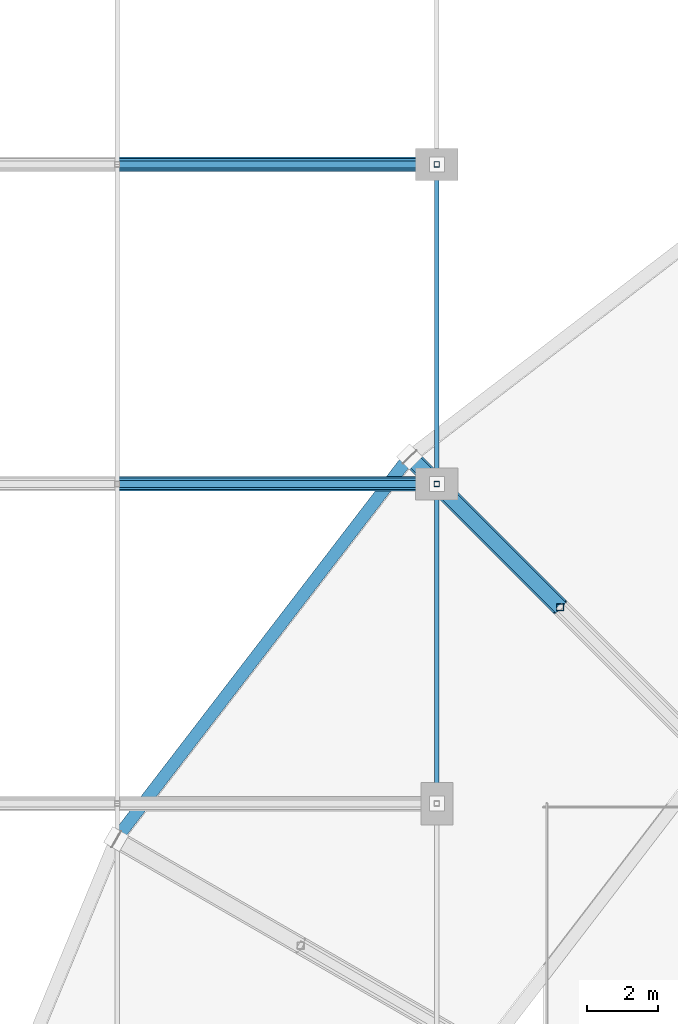
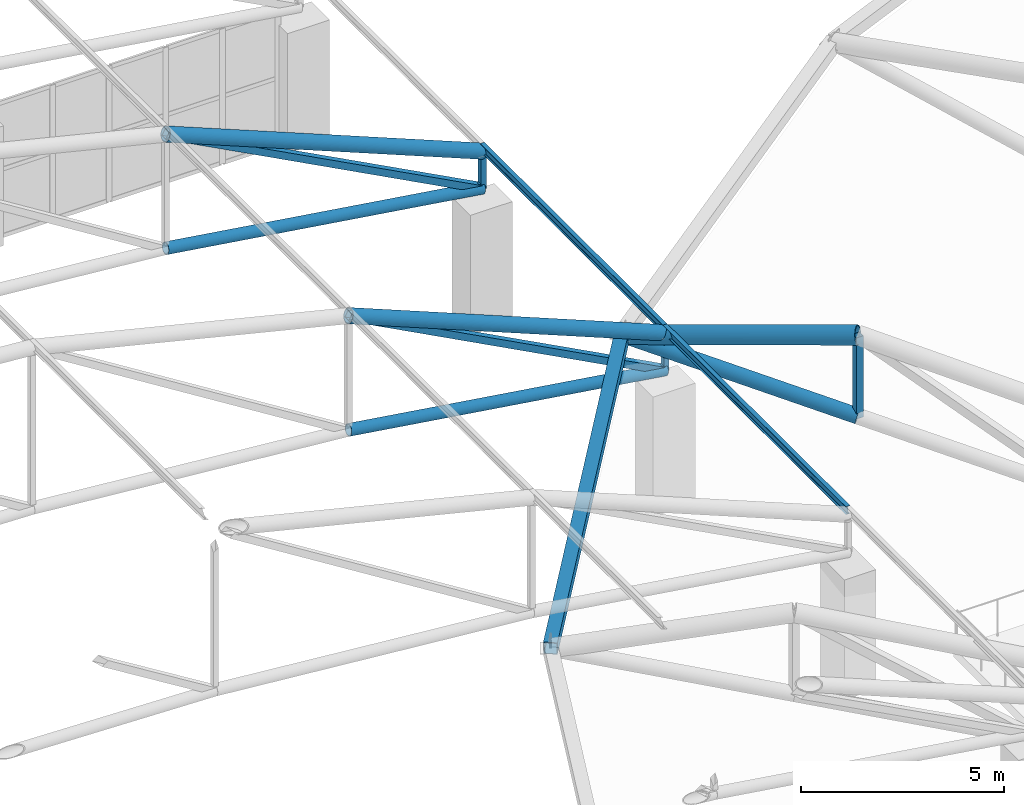
# One storey, part 63 of 167: 14 members.
"""IFC4 building model written with IfcOpenShell, lengths in metres."""

from ifc_helpers import new_model, si_unit, direction, frame, origin, origin_2d, place, context, subcontext, project, spatial, hollow_rectangle, hollow_circle, i_section, extrude, material, material_profile, profile_set, type_object, element, save


model = new_model("IFC4")

# Units and contexts
model_context = context("Model", 3, precision=1e-05, world=origin(), true_north=direction((0.0, 1.0)))
body_context = subcontext(model_context, "Body", "Model", "MODEL_VIEW")
ifc_project = project(units=[si_unit("LENGTHUNIT", "METRE"), si_unit("AREAUNIT", "SQUARE_METRE"), si_unit("VOLUMEUNIT", "CUBIC_METRE"), si_unit("PLANEANGLEUNIT", "RADIAN"), si_unit("MASSUNIT", "GRAM", prefix="KILO")], contexts=[model_context])

# Site, building, storey
site_placement = place(None, origin())
site = spatial("IfcSite", under=ifc_project, at=site_placement, CompositionType="ELEMENT")
building_placement = place(site_placement, origin())
building = spatial("IfcBuilding", under=site, at=building_placement, Name="Dornveld Trade and Exhibition Forum", CompositionType="ELEMENT")
storey_placement = place(building_placement, frame((0.0, 0.0, 16.800048828125)))
storey = spatial("IfcBuildingStorey", under=building, at=storey_placement, Name="L03", CompositionType="ELEMENT", Elevation=16.800048828125)

# Members
ifc_material_1 = material(Name="Steel S355J2", Category="steel")
ifc_material_profile_1 = material_profile(ifc_material_1, hollow_circle(Radius=0.161865234375, WallThickness=0.01611328125, at=origin_2d()), Name="CHS 323.9x16")
ifc_profile_set_1 = profile_set([ifc_material_profile_1], Name="Steel S355J2")
member_type_1 = type_object("IfcMemberType", Name="MEM-ARCH-BC", PredefinedType="CHORD", material=ifc_profile_set_1)
for number, where, z_axis, x_axis, name in (
    (1, (72.0, 117.0, 5.283203125), (0.989204758987, 0.0, -0.146539908551), (0.0, 1.0, 0.0), "H3 truss 10 tie chord 6"),
    (2, (72.0, 126.0, 5.283203125), (0.989204758987, 0.0, -0.146539908551), (0.0, 1.0, 0.0), "H3 truss 11 tie chord 6"),
):
    element("IfcMember", number, at=place(storey_placement, frame(where, z_axis=z_axis, x_axis=x_axis)), inside=storey, type_object=member_type_1, Name=name, PredefinedType="CHORD", context=body_context, shape_type="SweptSolid", body=[
        extrude(hollow_circle(Radius=0.161865234375, WallThickness=0.01611328125, at=origin_2d()), origin(), (0.0, 0.0, 1.0), 9.09814453125),
    ])
ifc_material_2 = material(Name="Steel S355J2", Category="steel")
ifc_material_profile_2 = material_profile(ifc_material_2, hollow_rectangle(XDim=0.14990234375, YDim=0.14990234375, WallThickness=0.008056640625, at=origin_2d()), Name="SHS 150x150x8")
ifc_profile_set_2 = profile_set([ifc_material_profile_2], Name="Steel S355J2")
member_type_2 = type_object("IfcMemberType", Name="MEM-ARCH-STR", PredefinedType="STRUT", material=ifc_profile_set_2)
for number, where, z_axis, x_axis, name in (
    (3, (81.0, 117.0, 3.949951171875), (0.0, 0.0, 1.0), (1.0, 0.0, 0.0), "H3 truss 10 end strut"),
    (4, (81.0, 126.0, 3.949951171875), (0.0, 0.0, 1.0), (1.0, 0.0, 0.0), "H3 truss 11 end strut"),
):
    element("IfcMember", number, at=place(storey_placement, frame(where, z_axis=z_axis, x_axis=x_axis)), inside=storey, type_object=member_type_2, Name=name, PredefinedType="STRUT", context=body_context, shape_type="SweptSolid", body=[
        extrude(hollow_rectangle(XDim=0.14990234375, YDim=0.14990234375, WallThickness=0.008056640625, at=origin_2d()), origin(), (0.0, 0.0, 1.0), 1.10009765625),
    ])
ifc_material_3 = material(Name="Steel S355J2", Category="steel")
ifc_material_profile_3 = material_profile(ifc_material_3, hollow_circle(Radius=0.203125, WallThickness=0.02001953125, at=origin_2d()), Name="CHS 406.4x20")
ifc_profile_set_3 = profile_set([ifc_material_profile_3], Name="Steel S355J2")
member_type_3 = type_object("IfcMemberType", Name="MEM-ARCH-TC", PredefinedType="CHORD", material=ifc_profile_set_3)
for number, where, z_axis, x_axis, name in (
    (5, (72.0, 117.0, 8.716552734375), (0.926098211611, 0.0, -0.377282523383), (0.0, 1.0, 0.0), "H3 truss 10 top chord 6"),
    (6, (72.0, 126.0, 8.716552734375), (0.926098211611, 0.0, -0.377282523383), (0.0, 1.0, 0.0), "H3 truss 11 top chord 6"),
):
    element("IfcMember", number, at=place(storey_placement, frame(where, z_axis=z_axis, x_axis=x_axis)), inside=storey, type_object=member_type_3, Name=name, PredefinedType="CHORD", context=body_context, shape_type="SweptSolid", body=[
        extrude(hollow_circle(Radius=0.203125, WallThickness=0.02001953125, at=origin_2d()), origin(), (0.0, 0.0, 1.0), 9.71826171875),
    ])
ifc_material_4 = material(Name="Steel S355J2", Category="steel")
ifc_material_profile_4 = material_profile(ifc_material_4, hollow_rectangle(XDim=0.199951171875, YDim=0.199951171875, WallThickness=0.010009765625, at=origin_2d()), Name="SHS 200x200x10")
ifc_profile_set_4 = profile_set([ifc_material_profile_4], Name="Steel S355J2")
member_type_4 = type_object("IfcMemberType", Name="MEM-ARCH-WEB", PredefinedType="BRACE", material=ifc_profile_set_4)
for number, where, z_axis, x_axis, name in (
    (7, (81.0, 117.0, 3.949951171875), (-0.883710934211, 0.0, 0.468033102201), (0.0, -1.0, 0.0), "H3 truss 10 web 6"),
    (8, (81.0, 126.0, 3.949951171875), (-0.883710934211, 0.0, 0.468033102201), (0.0, -1.0, 0.0), "H3 truss 11 web 6"),
):
    element("IfcMember", number, at=place(storey_placement, frame(where, z_axis=z_axis, x_axis=x_axis)), inside=storey, type_object=member_type_4, Name=name, PredefinedType="BRACE", context=body_context, shape_type="SweptSolid", body=[
        extrude(hollow_rectangle(XDim=0.199951171875, YDim=0.199951171875, WallThickness=0.010009765625, at=origin_2d()), origin(), (0.0, 0.0, 1.0), 10.184326171875),
    ])
ifc_material_5 = material(Name="Steel S355J2", Category="steel")
ifc_material_profile_5 = material_profile(ifc_material_5, hollow_circle(Radius=0.203125, WallThickness=0.02001953125, at=origin_2d()), Name="CHS 406.4x20")
ifc_profile_set_5 = profile_set([ifc_material_profile_5], Name="Steel S355J2")
member_type_5 = type_object("IfcMemberType", Name="MEM-DISC-BC", PredefinedType="CHORD", material=ifc_profile_set_5)
member_1_placement = place(storey_placement, frame((84.47314453125, 113.52685546875, 3.437744140625), z_axis=(-0.68955639355, 0.68955639355, 0.221413550236), x_axis=(-0.707106781187, -0.707106781187, 0.0)))
element("IfcMember", 9, at=member_1_placement, inside=storey, type_object=member_type_5, Name="Roof disc radial R10 conical bottom chord 4", PredefinedType="CHORD", context=body_context, shape_type="SweptSolid", body=[
    extrude(hollow_circle(Radius=0.203125, WallThickness=0.02001953125, at=origin_2d()), origin(), (0.0, 0.0, 1.0), 6.15283203125),
])
ifc_material_6 = material(Name="Steel S355J2", Category="steel")
ifc_material_profile_6 = material_profile(ifc_material_6, hollow_rectangle(XDim=0.35009765625, YDim=0.35009765625, WallThickness=0.01611328125, at=origin_2d()), Name="SHS 350x350x16")
ifc_profile_set_6 = profile_set([ifc_material_profile_6], Name="Steel S355J2")
member_type_6 = type_object("IfcMemberType", Name="MEM-DISC-RING", PredefinedType="CHORD", material=ifc_profile_set_6)
member_2_placement = place(storey_placement, frame((80.23046875, 117.76953125, 4.800048828125), z_axis=(-0.608757714995, -0.79335619014, 0.0), x_axis=(0.79335619014, -0.608757714995, 0.0)))
element("IfcMember", 10, at=member_2_placement, inside=storey, type_object=member_type_6, Name="Roof disc ring 4 chord 10", PredefinedType="CHORD", context=body_context, shape_type="SweptSolid", body=[
    extrude(hollow_rectangle(XDim=0.35009765625, YDim=0.35009765625, WallThickness=0.01611328125, at=origin_2d()), origin(), (0.0, 0.0, 1.0), 13.57470703125),
])
ifc_material_7 = material(Name="Steel S355J2", Category="steel")
ifc_material_profile_7 = material_profile(ifc_material_7, hollow_rectangle(XDim=0.199951171875, YDim=0.199951171875, WallThickness=0.010009765625, at=origin_2d()), Name="SHS 200x200x10")
ifc_profile_set_7 = profile_set([ifc_material_profile_7], Name="Steel S355J2")
member_type_7 = type_object("IfcMemberType", Name="MEM-DISC-STR", PredefinedType="STRUT", material=ifc_profile_set_7)
member_3_placement = place(storey_placement, frame((84.47314453125, 113.52685546875, 3.437744140625), z_axis=(0.0, 0.0, 1.0), x_axis=(1.0, 0.0, 0.0)))
element("IfcMember", 11, at=member_3_placement, inside=storey, type_object=member_type_7, Name="Roof disc radial R10 strut 4", PredefinedType="STRUT", context=body_context, shape_type="SweptSolid", body=[
    extrude(hollow_rectangle(XDim=0.199951171875, YDim=0.199951171875, WallThickness=0.010009765625, at=origin_2d()), origin(), (0.0, 0.0, 1.0), 2.437255859375),
])
ifc_material_8 = material(Name="Steel S355J2", Category="steel")
ifc_material_profile_8 = material_profile(ifc_material_8, hollow_circle(Radius=0.25390625, WallThickness=0.02490234375, at=origin_2d()), Name="CHS 508x25")
ifc_profile_set_8 = profile_set([ifc_material_profile_8], Name="Steel S355J2")
member_type_8 = type_object("IfcMemberType", Name="MEM-DISC-TC", PredefinedType="CHORD", material=ifc_profile_set_8)
member_4_placement = place(storey_placement, frame((84.47314453125, 113.52685546875, 5.875), z_axis=(-0.696024764871, 0.696024764871, -0.176349236951), x_axis=(-0.707106781187, -0.707106781187, 0.0)))
element("IfcMember", 12, at=member_4_placement, inside=storey, type_object=member_type_8, Name="Roof disc radial R10 top chord 4", PredefinedType="CHORD", context=body_context, shape_type="SweptSolid", body=[
    extrude(hollow_circle(Radius=0.25390625, WallThickness=0.02490234375, at=origin_2d()), origin(), (0.0, 0.0, 1.0), 6.095703125),
])
ifc_material_9 = material(Name="Steel S355J2", Category="steel")
ifc_material_profile_9 = material_profile(ifc_material_9, i_section(OverallWidth=0.1201171875, OverallDepth=0.239990234375, WebThickness=0.006103515625, FlangeThickness=0.009765625, FilletRadius=0.014892578125, at=origin_2d()), Name="IPE 240")
ifc_profile_set_9 = profile_set([ifc_material_profile_9], Name="Steel S355J2")
member_type_9 = type_object("IfcMemberType", Name="MEM-PURLIN-240", PredefinedType="PURLIN", material=ifc_profile_set_9)
for number, where, z_axis, x_axis, name in (
    (13, (81.0, 108.0, 5.181884765625), (0.0, 1.0, 0.0), (-1.0, 0.0, 0.0), "H3 bay 9 roof purlin 7"),
    (14, (81.0, 117.0, 5.181884765625), (0.0, 1.0, 0.0), (-1.0, 0.0, 0.0), "H3 bay 10 roof purlin 7"),
):
    element("IfcMember", number, at=place(storey_placement, frame(where, z_axis=z_axis, x_axis=x_axis)), inside=storey, type_object=member_type_9, Name=name, PredefinedType="PURLIN", context=body_context, shape_type="SweptSolid", body=[
        extrude(i_section(OverallWidth=0.1201171875, OverallDepth=0.239990234375, WebThickness=0.006103515625, FlangeThickness=0.009765625, FilletRadius=0.014892578125, at=origin_2d()), origin(), (0.0, 0.0, 1.0), 9.0),
    ])

save(model, "model.ifc")
